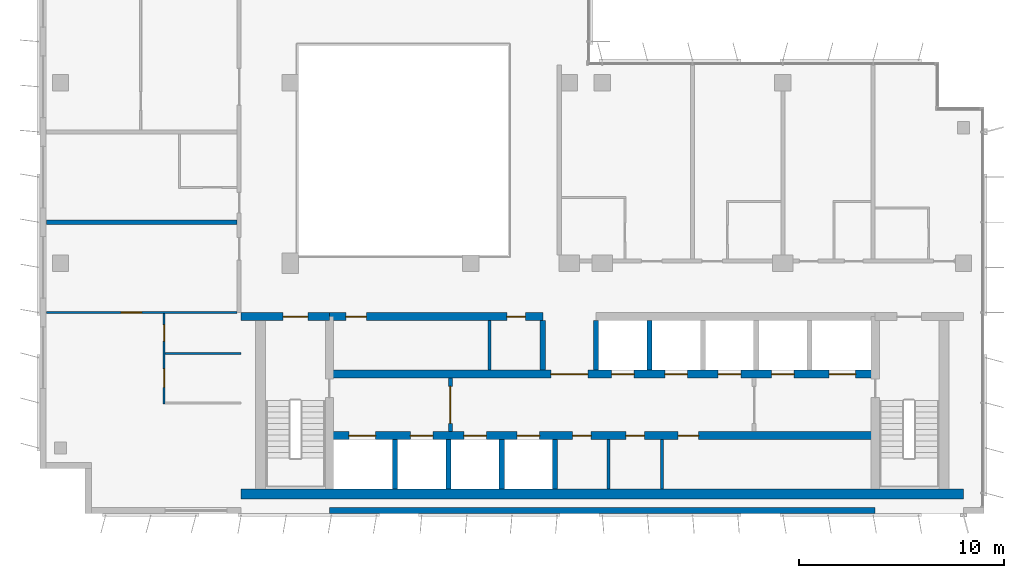
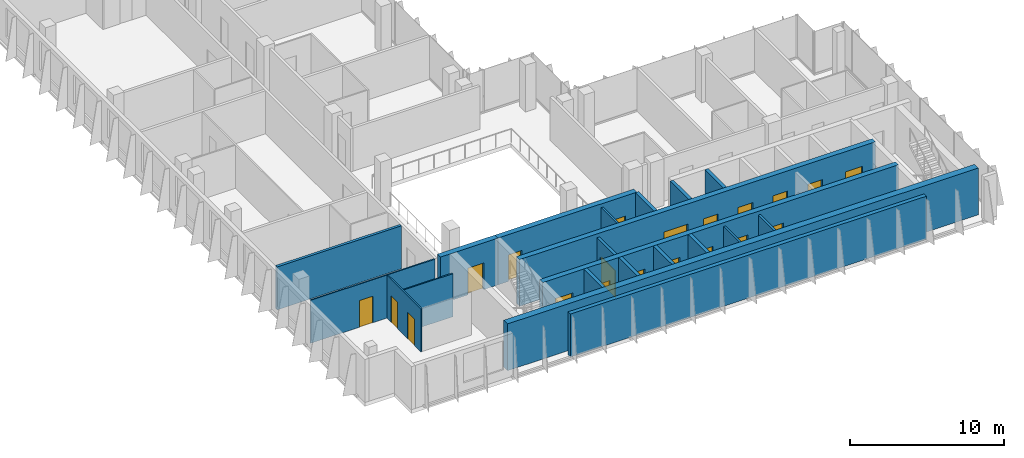
# One storey, part 9 of 15: 21 walls, 20 doors, 20 openings.
"""IFC4 building model written with IfcOpenShell, lengths in metres."""

from ifc_helpers import new_model, si_unit, direction, frame, frame_2d, origin, place, context, subcontext, project, spatial, rectangle, extrude, material, layer, layer_set, type_object, element, fill, save


model = new_model("IFC4")

# Units and contexts
model_context = context("Model", 3, precision=1e-05, world=origin(), true_north=direction((0.0, 1.0)))
body_context = subcontext(model_context, "Body", "Model", "MODEL_VIEW")
ifc_project = project(units=[si_unit("LENGTHUNIT", "METRE"), si_unit("AREAUNIT", "SQUARE_METRE"), si_unit("VOLUMEUNIT", "CUBIC_METRE"), si_unit("PLANEANGLEUNIT", "RADIAN"), si_unit("MASSUNIT", "GRAM", prefix="KILO")], contexts=[model_context])

# Site, building, storey
site_placement = place(None, origin())
site = spatial("IfcSite", under=ifc_project, at=site_placement, CompositionType="ELEMENT")
building_placement = place(site_placement, origin())
building = spatial("IfcBuilding", under=site, at=building_placement, Name="Kemantara Hotel Tower", CompositionType="ELEMENT")
storey_placement = place(building_placement, frame((0.0, 0.0, 275.89990234375)))
storey = spatial("IfcBuildingStorey", under=building, at=storey_placement, Name="L69", CompositionType="ELEMENT", Elevation=275.89990234375)

# Walls
ifc_material_1 = material(Name="Bronze anodised aluminium cladding on insulated steel stud wall", Category="steel")
ifc_layer_1 = layer(ifc_material_1, 0.300048828125)
ifc_layer_set_1 = layer_set([ifc_layer_1], Name="Bronze anodised aluminium cladding on insulated steel stud wall")
wall_type_1 = type_object("IfcWallType", Name="BRONZE METAL-CLAD EXTERNAL WALL 300", PredefinedType="STANDARD", material=ifc_layer_set_1)
wall_1_placement = place(storey_placement, frame((14.10009765625, 0.14990234375, 0.0), z_axis=(0.0, 0.0, 1.0), x_axis=(1.0, 0.0, 0.0)))
element("IfcWall", 1, at=wall_1_placement, inside=storey, type_object=wall_type_1, Name="EXTERNAL WALL L69 T4-R08-2", PredefinedType="STANDARD", context=body_context, shape_type="SweptSolid", body=[
    extrude(rectangle(XDim=26.599853515625, YDim=0.300048828125, at=frame_2d((13.2998046875, 0.0))), origin(), (0.0, 0.0, 1.0), 3.400146484375),
])
ifc_material_2 = material(Name="Concrete fc 50 MPa", Category="concrete")
ifc_layer_2 = layer(ifc_material_2, 0.25)
ifc_layer_set_2 = layer_set([ifc_layer_2], Name="Concrete fc 50 MPa")
wall_type_2 = type_object("IfcWallType", Name="CORE WALL 250 FC50", PredefinedType="SHEAR", material=ifc_layer_set_2)
for number, where, z_axis, x_axis, name in (
    (2, (17.300048828125, 1.199951171875, 0.0), (0.0, 0.0, 1.0), (0.0, 1.0, 0.0), "CORE WALL CW-DS17.3"),
    (3, (19.89990234375, 1.199951171875, 0.0), (0.0, 0.0, 1.0), (0.0, 1.0, 0.0), "CORE WALL CW-DS19.9"),
    (4, (22.5, 1.199951171875, 0.0), (0.0, 0.0, 1.0), (0.0, 1.0, 0.0), "CORE WALL CW-DS22.5"),
    (5, (25.10009765625, 1.199951171875, 0.0), (0.0, 0.0, 1.0), (0.0, 1.0, 0.0), "CORE WALL CW-DS25.1"),
):
    element("IfcWall", number, at=place(storey_placement, frame(where, z_axis=z_axis, x_axis=x_axis)), inside=storey, type_object=wall_type_2, Name=name, PredefinedType="SHEAR", context=body_context, shape_type="SweptSolid", body=[
        extrude(rectangle(XDim=2.400146484375, YDim=0.25, at=frame_2d((1.2001953125, 0.0))), origin(), (0.0, 0.0, 1.0), 3.7001953125),
    ])
for number, where, z_axis, x_axis, name in (
    (6, (24.5, 7.0, 0.0), (0.0, 0.0, 1.0), (0.0, 1.0, 0.0), "CORE WALL CW-DN24.5"),
    (7, (27.10009765625, 7.0, 0.0), (0.0, 0.0, 1.0), (0.0, 1.0, 0.0), "CORE WALL CW-DN27.1"),
    (8, (29.699951171875, 7.0, 0.0), (0.0, 0.0, 1.0), (0.0, 1.0, 0.0), "CORE WALL CW-DN29.7"),
):
    element("IfcWall", number, at=place(storey_placement, frame(where, z_axis=z_axis, x_axis=x_axis)), inside=storey, type_object=wall_type_2, Name=name, PredefinedType="SHEAR", context=body_context, shape_type="SweptSolid", body=[
        extrude(rectangle(XDim=2.39990234375, YDim=0.25, at=frame_2d((1.199951171875, 0.0))), origin(), (0.0, 0.0, 1.0), 3.7001953125),
    ])

# Wall, opening, door
ifc_layer_3 = layer(ifc_material_2, 0.39990234375)
ifc_layer_set_3 = layer_set([ifc_layer_3], Name="Concrete fc 50 MPa")
wall_type_3 = type_object("IfcWallType", Name="CORE WALL 400 FC50", PredefinedType="SHEAR", material=ifc_layer_set_3)
wall_2_placement = place(storey_placement, frame((9.800048828125, 9.60009765625, 0.0), z_axis=(0.0, 0.0, 1.0), x_axis=(1.0, 0.0, 0.0)))
wall_2 = element("IfcWall", 9, at=wall_2_placement, inside=storey, type_object=wall_type_3, Name="CORE WALL CW-N1", PredefinedType="SHEAR", context=body_context, shape_type="SweptSolid", body=[
    extrude(rectangle(XDim=4.300048828125, YDim=0.39990234375, at=frame_2d((2.14990234375, 0.0))), origin(), (0.0, 0.0, 1.0), 3.7001953125),
])
opening_1_placement = place(wall_2_placement, frame((2.050048828125, 0.0, 0.0)))
opening_1 = element("IfcOpeningElement", 10, at=opening_1_placement, cuts=wall_2, Name="Opening C40-ST1-C", PredefinedType="OPENING", context=body_context, shape_type="SweptSolid", body=[
    extrude(rectangle(XDim=1.199951171875, YDim=2.10009765625, at=frame_2d((0.60009765625, 1.050048828125))), frame((0.0, 0.2099609375, 0.0), z_axis=(0.0, -1.0, 0.0), x_axis=(1.0, 0.0, 0.0)), (0.0, 0.0, 1.0), 0.419921875),
])
ifc_material_3 = material(Name="Steel fire door", Category="steel")
door_type_1 = type_object("IfcDoorType", Name="Fire door FD90 1200 x 2100", OperationType="NOTDEFINED", PredefinedType="DOOR", material=ifc_material_3)
door_1_placement = place(opening_1_placement, frame((1.199951171875, 0.0, 0.0), z_axis=(0.0, 0.0, 1.0), x_axis=(-1.0, 0.0, 0.0)))
door_1 = element("IfcDoor", 11, at=door_1_placement, inside=storey, type_object=door_type_1, Name="Stair ST1 door to corridor", OperationType="SINGLE_SWING_LEFT", OverallHeight=2.10009765625, OverallWidth=1.199951171875, PredefinedType="DOOR", context=body_context, shape_type="SweptSolid", body=[
    extrude(rectangle(XDim=1.199951171875, YDim=2.10009765625, at=frame_2d((0.60009765625, 1.050048828125))), frame((0.0, 0.02490234375, 0.0), z_axis=(0.0, -1.0, 0.0), x_axis=(1.0, 0.0, 0.0)), (0.0, 0.0, 1.0), 0.050048828125),
])
fill(opening_1, door_1)

# Wall, openings, doors
wall_3_placement = place(storey_placement, frame((14.10009765625, 9.60009765625, 0.0), z_axis=(0.0, 0.0, 1.0), x_axis=(1.0, 0.0, 0.0)))
wall_3 = element("IfcWall", 12, at=wall_3_placement, inside=storey, type_object=wall_type_3, Name="CORE WALL CW-NN1", PredefinedType="SHEAR", context=body_context, shape_type="SweptSolid", body=[
    extrude(rectangle(XDim=10.39990234375, YDim=0.39990234375, at=frame_2d((5.199951171875, 0.0))), origin(), (0.0, 0.0, 1.0), 3.7001953125),
])
opening_2_placement = place(wall_3_placement, frame((0.800048828125, 0.0, 0.0)))
opening_2 = element("IfcOpeningElement", 13, at=opening_2_placement, cuts=wall_3, Name="Opening C40-R-NW1", PredefinedType="OPENING", context=body_context, shape_type="SweptSolid", body=[
    extrude(rectangle(XDim=1.0, YDim=2.10009765625, at=frame_2d((0.5, 1.050048828125))), frame((0.0, 0.2099609375, 0.0), z_axis=(0.0, -1.0, 0.0), x_axis=(1.0, 0.0, 0.0)), (0.0, 0.0, 1.0), 0.419921875),
])
opening_3_placement = place(wall_3_placement, frame((8.64990234375, 0.0, 0.0)))
opening_3 = element("IfcOpeningElement", 14, at=opening_3_placement, cuts=wall_3, Name="Opening C40-R-NW2", PredefinedType="OPENING", context=body_context, shape_type="SweptSolid", body=[
    extrude(rectangle(XDim=0.89990234375, YDim=2.10009765625, at=frame_2d((0.449951171875, 1.050048828125))), frame((0.0, 0.2099609375, 0.0), z_axis=(0.0, -1.0, 0.0), x_axis=(1.0, 0.0, 0.0)), (0.0, 0.0, 1.0), 0.419921875),
])
door_type_2 = type_object("IfcDoorType", Name="Fire door FD30S 1000 x 2100", OperationType="NOTDEFINED", PredefinedType="DOOR", material=ifc_material_3)
door_2_placement = place(opening_2_placement, frame((1.0, 0.0, 0.0), z_axis=(0.0, 0.0, 1.0), x_axis=(-1.0, 0.0, 0.0)))
door_2 = element("IfcDoor", 15, at=door_2_placement, inside=storey, type_object=door_type_2, Name="Linen Store door", OperationType="SINGLE_SWING_RIGHT", OverallHeight=2.10009765625, OverallWidth=1.0, PredefinedType="DOOR", context=body_context, shape_type="SweptSolid", body=[
    extrude(rectangle(XDim=1.0, YDim=2.10009765625, at=frame_2d((0.5, 1.050048828125))), frame((0.0, 0.02490234375, 0.0), z_axis=(0.0, -1.0, 0.0), x_axis=(1.0, 0.0, 0.0)), (0.0, 0.0, 1.0), 0.050048828125),
])
fill(opening_2, door_2)
door_type_3 = type_object("IfcDoorType", Name="Fire door FD60 900 x 2100", OperationType="NOTDEFINED", PredefinedType="DOOR", material=ifc_material_3)
door_3_placement = place(opening_3_placement, frame((0.89990234375, 0.0, 0.0), z_axis=(0.0, 0.0, 1.0), x_axis=(-1.0, 0.0, 0.0)))
door_3 = element("IfcDoor", 16, at=door_3_placement, inside=storey, type_object=door_type_3, Name="It Equipment Room door", OperationType="SINGLE_SWING_LEFT", OverallHeight=2.10009765625, OverallWidth=0.89990234375, PredefinedType="DOOR", context=body_context, shape_type="SweptSolid", body=[
    extrude(rectangle(XDim=0.89990234375, YDim=2.10009765625, at=frame_2d((0.449951171875, 1.050048828125))), frame((0.0, 0.02490234375, 0.0), z_axis=(0.0, -1.0, 0.0), x_axis=(1.0, 0.0, 0.0)), (0.0, 0.0, 1.0), 0.050048828125),
])
fill(opening_3, door_3)

wall_4_placement = place(storey_placement, frame((14.10009765625, 3.800048828125, 0.0), z_axis=(0.0, 0.0, 1.0), x_axis=(1.0, 0.0, 0.0)))
wall_4 = element("IfcWall", 17, at=wall_4_placement, inside=storey, type_object=wall_type_3, Name="CORE WALL CW-L1", PredefinedType="SHEAR", context=body_context, shape_type="SweptSolid", body=[
    extrude(rectangle(XDim=26.599853515625, YDim=0.39990234375, at=frame_2d((13.2998046875, 0.0))), origin(), (0.0, 0.0, 1.0), 3.7001953125),
])
opening_4_placement = place(wall_4_placement, frame((0.949951171875, 0.0, 0.0)))
opening_4 = element("IfcOpeningElement", 18, at=opening_4_placement, cuts=wall_4, Name="Opening C40-LD-FF1", PredefinedType="OPENING", context=body_context, shape_type="SweptSolid", body=[
    extrude(rectangle(XDim=1.300048828125, YDim=2.10009765625, at=frame_2d((0.64990234375, 1.050048828125))), frame((0.0, 0.2099609375, 0.0), z_axis=(0.0, -1.0, 0.0), x_axis=(1.0, 0.0, 0.0)), (0.0, 0.0, 1.0), 0.419921875),
])
opening_5_placement = place(wall_4_placement, frame((3.949951171875, 0.0, 0.0)))
opening_5 = element("IfcOpeningElement", 19, at=opening_5_placement, cuts=wall_4, Name="Opening C40-LD-SV1", PredefinedType="OPENING", context=body_context, shape_type="SweptSolid", body=[
    extrude(rectangle(XDim=1.10009765625, YDim=2.10009765625, at=frame_2d((0.550048828125, 1.050048828125))), frame((0.0, 0.2099609375, 0.0), z_axis=(0.0, -1.0, 0.0), x_axis=(1.0, 0.0, 0.0)), (0.0, 0.0, 1.0), 0.419921875),
])
opening_6_placement = place(wall_4_placement, frame((6.550048828125, 0.0, 0.0)))
opening_6 = element("IfcOpeningElement", 20, at=opening_6_placement, cuts=wall_4, Name="Opening C40-LD-SV2", PredefinedType="OPENING", context=body_context, shape_type="SweptSolid", body=[
    extrude(rectangle(XDim=1.10009765625, YDim=2.10009765625, at=frame_2d((0.550048828125, 1.050048828125))), frame((0.0, 0.2099609375, 0.0), z_axis=(0.0, -1.0, 0.0), x_axis=(1.0, 0.0, 0.0)), (0.0, 0.0, 1.0), 0.419921875),
])
opening_7_placement = place(wall_4_placement, frame((9.14990234375, 0.0, 0.0)))
opening_7 = element("IfcOpeningElement", 21, at=opening_7_placement, cuts=wall_4, Name="Opening C40-LD-SV3", PredefinedType="OPENING", context=body_context, shape_type="SweptSolid", body=[
    extrude(rectangle(XDim=1.10009765625, YDim=2.10009765625, at=frame_2d((0.550048828125, 1.050048828125))), frame((0.0, 0.2099609375, 0.0), z_axis=(0.0, -1.0, 0.0), x_axis=(1.0, 0.0, 0.0)), (0.0, 0.0, 1.0), 0.419921875),
])
opening_8_placement = place(wall_4_placement, frame((11.85009765625, 0.0, 0.0)))
opening_8 = element("IfcOpeningElement", 22, at=opening_8_placement, cuts=wall_4, Name="Opening C40-R-SM1", PredefinedType="OPENING", context=body_context, shape_type="SweptSolid", body=[
    extrude(rectangle(XDim=0.89990234375, YDim=2.10009765625, at=frame_2d((0.449951171875, 1.050048828125))), frame((0.0, 0.2099609375, 0.0), z_axis=(0.0, -1.0, 0.0), x_axis=(1.0, 0.0, 0.0)), (0.0, 0.0, 1.0), 0.419921875),
])
opening_9_placement = place(wall_4_placement, frame((14.449951171875, 0.0, 0.0)))
opening_9 = element("IfcOpeningElement", 23, at=opening_9_placement, cuts=wall_4, Name="Opening C40-R-SM2", PredefinedType="OPENING", context=body_context, shape_type="SweptSolid", body=[
    extrude(rectangle(XDim=0.89990234375, YDim=2.10009765625, at=frame_2d((0.449951171875, 1.050048828125))), frame((0.0, 0.2099609375, 0.0), z_axis=(0.0, -1.0, 0.0), x_axis=(1.0, 0.0, 0.0)), (0.0, 0.0, 1.0), 0.419921875),
])
opening_10_placement = place(wall_4_placement, frame((17.0, 0.0, 0.0)))
opening_10 = element("IfcOpeningElement", 24, at=opening_10_placement, cuts=wall_4, Name="Opening C40-R-SM3", PredefinedType="OPENING", context=body_context, shape_type="SweptSolid", body=[
    extrude(rectangle(XDim=1.0, YDim=2.10009765625, at=frame_2d((0.5, 1.050048828125))), frame((0.0, 0.2099609375, 0.0), z_axis=(0.0, -1.0, 0.0), x_axis=(1.0, 0.0, 0.0)), (0.0, 0.0, 1.0), 0.419921875),
])
door_4_placement = place(opening_10_placement, frame((1.0, 0.0, 0.0), z_axis=(0.0, 0.0, 1.0), x_axis=(-1.0, 0.0, 0.0)))
door_4 = element("IfcDoor", 25, at=door_4_placement, inside=storey, type_object=door_type_2, Name="Guest Pantry door", OperationType="SINGLE_SWING_LEFT", OverallHeight=2.10009765625, OverallWidth=1.0, PredefinedType="DOOR", context=body_context, shape_type="SweptSolid", body=[
    extrude(rectangle(XDim=1.0, YDim=2.10009765625, at=frame_2d((0.5, 1.050048828125))), frame((0.0, 0.02490234375, 0.0), z_axis=(0.0, -1.0, 0.0), x_axis=(1.0, 0.0, 0.0)), (0.0, 0.0, 1.0), 0.050048828125),
])
fill(opening_10, door_4)
door_type_4 = type_object("IfcDoorType", Name="Fire door FD30S 900 x 2100", OperationType="NOTDEFINED", PredefinedType="DOOR", material=ifc_material_3)
door_5_placement = place(opening_9_placement, frame((0.89990234375, 0.0, 0.0), z_axis=(0.0, 0.0, 1.0), x_axis=(-1.0, 0.0, 0.0)))
door_5 = element("IfcDoor", 26, at=door_5_placement, inside=storey, type_object=door_type_4, Name="Staff Wc door", OperationType="SINGLE_SWING_LEFT", OverallHeight=2.10009765625, OverallWidth=0.89990234375, PredefinedType="DOOR", context=body_context, shape_type="SweptSolid", body=[
    extrude(rectangle(XDim=0.89990234375, YDim=2.10009765625, at=frame_2d((0.449951171875, 1.050048828125))), frame((0.0, 0.02490234375, 0.0), z_axis=(0.0, -1.0, 0.0), x_axis=(1.0, 0.0, 0.0)), (0.0, 0.0, 1.0), 0.050048828125),
])
fill(opening_9, door_5)
door_6_placement = place(opening_8_placement, frame((0.89990234375, 0.0, 0.0), z_axis=(0.0, 0.0, 1.0), x_axis=(-1.0, 0.0, 0.0)))
door_6 = element("IfcDoor", 27, at=door_6_placement, inside=storey, type_object=door_type_3, Name="Electrical Riser Room door", OperationType="SINGLE_SWING_RIGHT", OverallHeight=2.10009765625, OverallWidth=0.89990234375, PredefinedType="DOOR", context=body_context, shape_type="SweptSolid", body=[
    extrude(rectangle(XDim=0.89990234375, YDim=2.10009765625, at=frame_2d((0.449951171875, 1.050048828125))), frame((0.0, 0.02490234375, 0.0), z_axis=(0.0, -1.0, 0.0), x_axis=(1.0, 0.0, 0.0)), (0.0, 0.0, 1.0), 0.050048828125),
])
fill(opening_8, door_6)
ifc_material_4 = material(Name="Stainless steel lift door", Category="steel")
door_type_5 = type_object("IfcDoorType", Name="Lift landing door 1100 x 2100 FD60", OperationType="DOUBLE_DOOR_SLIDING", PredefinedType="DOOR", material=ifc_material_4)
door_7_placement = place(opening_5_placement, origin())
door_7 = element("IfcDoor", 28, at=door_7_placement, inside=storey, type_object=door_type_5, Name="Lift SV1 landing door", OperationType="DOUBLE_DOOR_SLIDING", OverallHeight=2.10009765625, OverallWidth=1.10009765625, PredefinedType="DOOR", context=body_context, shape_type="SweptSolid", body=[
    extrude(rectangle(XDim=1.10009765625, YDim=2.10009765625, at=frame_2d((0.550048828125, 1.050048828125))), frame((0.0, 0.02490234375, 0.0), z_axis=(0.0, -1.0, 0.0), x_axis=(1.0, 0.0, 0.0)), (0.0, 0.0, 1.0), 0.050048828125),
])
fill(opening_5, door_7)
door_8_placement = place(opening_6_placement, origin())
door_8 = element("IfcDoor", 29, at=door_8_placement, inside=storey, type_object=door_type_5, Name="Lift SV2 landing door", OperationType="DOUBLE_DOOR_SLIDING", OverallHeight=2.10009765625, OverallWidth=1.10009765625, PredefinedType="DOOR", context=body_context, shape_type="SweptSolid", body=[
    extrude(rectangle(XDim=1.10009765625, YDim=2.10009765625, at=frame_2d((0.550048828125, 1.050048828125))), frame((0.0, 0.02490234375, 0.0), z_axis=(0.0, -1.0, 0.0), x_axis=(1.0, 0.0, 0.0)), (0.0, 0.0, 1.0), 0.050048828125),
])
fill(opening_6, door_8)
door_9_placement = place(opening_7_placement, origin())
door_9 = element("IfcDoor", 30, at=door_9_placement, inside=storey, type_object=door_type_5, Name="Lift SV3 landing door", OperationType="DOUBLE_DOOR_SLIDING", OverallHeight=2.10009765625, OverallWidth=1.10009765625, PredefinedType="DOOR", context=body_context, shape_type="SweptSolid", body=[
    extrude(rectangle(XDim=1.10009765625, YDim=2.10009765625, at=frame_2d((0.550048828125, 1.050048828125))), frame((0.0, 0.02490234375, 0.0), z_axis=(0.0, -1.0, 0.0), x_axis=(1.0, 0.0, 0.0)), (0.0, 0.0, 1.0), 0.050048828125),
])
fill(opening_7, door_9)
door_type_6 = type_object("IfcDoorType", Name="Lift landing door 1300 x 2100 FD90", OperationType="DOUBLE_DOOR_SLIDING", PredefinedType="DOOR", material=ifc_material_4)
door_10_placement = place(opening_4_placement, origin())
door_10 = element("IfcDoor", 31, at=door_10_placement, inside=storey, type_object=door_type_6, Name="Lift FF1 landing door", OperationType="DOUBLE_DOOR_SLIDING", OverallHeight=2.10009765625, OverallWidth=1.300048828125, PredefinedType="DOOR", context=body_context, shape_type="SweptSolid", body=[
    extrude(rectangle(XDim=1.300048828125, YDim=2.10009765625, at=frame_2d((0.64990234375, 1.050048828125))), frame((0.0, 0.02490234375, 0.0), z_axis=(0.0, -1.0, 0.0), x_axis=(1.0, 0.0, 0.0)), (0.0, 0.0, 1.0), 0.050048828125),
])
fill(opening_4, door_10)

wall_5_placement = place(storey_placement, frame((14.10009765625, 6.800048828125, 0.0), z_axis=(0.0, 0.0, 1.0), x_axis=(1.0, 0.0, 0.0)))
wall_5 = element("IfcWall", 32, at=wall_5_placement, inside=storey, type_object=wall_type_3, Name="CORE WALL CW-L2", PredefinedType="SHEAR", context=body_context, shape_type="SweptSolid", body=[
    extrude(rectangle(XDim=26.599853515625, YDim=0.39990234375, at=frame_2d((13.2998046875, 0.0))), origin(), (0.0, 0.0, 1.0), 3.7001953125),
])
opening_11_placement = place(wall_5_placement, frame((10.800048828125, 0.0, 0.0)))
opening_11 = element("IfcOpeningElement", 33, at=opening_11_placement, cuts=wall_5, Name="Opening C40-VL", PredefinedType="OPENING", context=body_context, shape_type="SweptSolid", body=[
    extrude(rectangle(XDim=1.800048828125, YDim=2.10009765625, at=frame_2d((0.89990234375, 1.050048828125))), frame((0.0, 0.2099609375, 0.0), z_axis=(0.0, -1.0, 0.0), x_axis=(1.0, 0.0, 0.0)), (0.0, 0.0, 1.0), 0.419921875),
])
opening_12_placement = place(wall_5_placement, frame((13.75, 0.0, 0.0)))
opening_12 = element("IfcOpeningElement", 34, at=opening_12_placement, cuts=wall_5, Name="Opening C40-LD-HR1", PredefinedType="OPENING", context=body_context, shape_type="SweptSolid", body=[
    extrude(rectangle(XDim=1.10009765625, YDim=2.10009765625, at=frame_2d((0.550048828125, 1.050048828125))), frame((0.0, 0.2099609375, 0.0), z_axis=(0.0, -1.0, 0.0), x_axis=(1.0, 0.0, 0.0)), (0.0, 0.0, 1.0), 0.419921875),
])
opening_13_placement = place(wall_5_placement, frame((16.35009765625, 0.0, 0.0)))
opening_13 = element("IfcOpeningElement", 35, at=opening_13_placement, cuts=wall_5, Name="Opening C40-LD-HR2", PredefinedType="OPENING", context=body_context, shape_type="SweptSolid", body=[
    extrude(rectangle(XDim=1.10009765625, YDim=2.10009765625, at=frame_2d((0.550048828125, 1.050048828125))), frame((0.0, 0.2099609375, 0.0), z_axis=(0.0, -1.0, 0.0), x_axis=(1.0, 0.0, 0.0)), (0.0, 0.0, 1.0), 0.419921875),
])
opening_14_placement = place(wall_5_placement, frame((18.949951171875, 0.0, 0.0)))
opening_14 = element("IfcOpeningElement", 36, at=opening_14_placement, cuts=wall_5, Name="Opening C40-LD-HR3", PredefinedType="OPENING", context=body_context, shape_type="SweptSolid", body=[
    extrude(rectangle(XDim=1.10009765625, YDim=2.10009765625, at=frame_2d((0.550048828125, 1.050048828125))), frame((0.0, 0.2099609375, 0.0), z_axis=(0.0, -1.0, 0.0), x_axis=(1.0, 0.0, 0.0)), (0.0, 0.0, 1.0), 0.419921875),
])
opening_15_placement = place(wall_5_placement, frame((21.550048828125, 0.0, 0.0)))
opening_15 = element("IfcOpeningElement", 37, at=opening_15_placement, cuts=wall_5, Name="Opening C40-LD-HR4", PredefinedType="OPENING", context=body_context, shape_type="SweptSolid", body=[
    extrude(rectangle(XDim=1.10009765625, YDim=2.10009765625, at=frame_2d((0.550048828125, 1.050048828125))), frame((0.0, 0.2099609375, 0.0), z_axis=(0.0, -1.0, 0.0), x_axis=(1.0, 0.0, 0.0)), (0.0, 0.0, 1.0), 0.419921875),
])
opening_16_placement = place(wall_5_placement, frame((24.35009765625, 0.0, 0.0)))
opening_16 = element("IfcOpeningElement", 38, at=opening_16_placement, cuts=wall_5, Name="Opening C40-LD-FF2", PredefinedType="OPENING", context=body_context, shape_type="SweptSolid", body=[
    extrude(rectangle(XDim=1.300048828125, YDim=2.10009765625, at=frame_2d((0.64990234375, 1.050048828125))), frame((0.0, 0.2099609375, 0.0), z_axis=(0.0, -1.0, 0.0), x_axis=(1.0, 0.0, 0.0)), (0.0, 0.0, 1.0), 0.419921875),
])
door_type_7 = type_object("IfcDoorType", Name="Fire door pair FD60 1800 x 2100", OperationType="DOUBLE_DOOR_SINGLE_SWING", PredefinedType="DOOR", material=ifc_material_3)
door_11_placement = place(opening_11_placement, frame((1.800048828125, 0.0, 0.0), z_axis=(0.0, 0.0, 1.0), x_axis=(-1.0, 0.0, 0.0)))
door_11 = element("IfcDoor", 39, at=door_11_placement, inside=storey, type_object=door_type_7, Name="Lift lobby entry door", OperationType="DOUBLE_DOOR_SINGLE_SWING", OverallHeight=2.10009765625, OverallWidth=1.800048828125, PredefinedType="DOOR", context=body_context, shape_type="SweptSolid", body=[
    extrude(rectangle(XDim=1.800048828125, YDim=2.10009765625, at=frame_2d((0.89990234375, 1.050048828125))), frame((0.0, 0.02490234375, 0.0), z_axis=(0.0, -1.0, 0.0), x_axis=(1.0, 0.0, 0.0)), (0.0, 0.0, 1.0), 0.050048828125),
])
fill(opening_11, door_11)
door_12_placement = place(opening_12_placement, origin())
door_12 = element("IfcDoor", 40, at=door_12_placement, inside=storey, type_object=door_type_5, Name="Lift HR1 landing door", OperationType="DOUBLE_DOOR_SLIDING", OverallHeight=2.10009765625, OverallWidth=1.10009765625, PredefinedType="DOOR", context=body_context, shape_type="SweptSolid", body=[
    extrude(rectangle(XDim=1.10009765625, YDim=2.10009765625, at=frame_2d((0.550048828125, 1.050048828125))), frame((0.0, 0.02490234375, 0.0), z_axis=(0.0, -1.0, 0.0), x_axis=(1.0, 0.0, 0.0)), (0.0, 0.0, 1.0), 0.050048828125),
])
fill(opening_12, door_12)
door_13_placement = place(opening_13_placement, origin())
door_13 = element("IfcDoor", 41, at=door_13_placement, inside=storey, type_object=door_type_5, Name="Lift HR2 landing door", OperationType="DOUBLE_DOOR_SLIDING", OverallHeight=2.10009765625, OverallWidth=1.10009765625, PredefinedType="DOOR", context=body_context, shape_type="SweptSolid", body=[
    extrude(rectangle(XDim=1.10009765625, YDim=2.10009765625, at=frame_2d((0.550048828125, 1.050048828125))), frame((0.0, 0.02490234375, 0.0), z_axis=(0.0, -1.0, 0.0), x_axis=(1.0, 0.0, 0.0)), (0.0, 0.0, 1.0), 0.050048828125),
])
fill(opening_13, door_13)
door_14_placement = place(opening_14_placement, origin())
door_14 = element("IfcDoor", 42, at=door_14_placement, inside=storey, type_object=door_type_5, Name="Lift HR3 landing door", OperationType="DOUBLE_DOOR_SLIDING", OverallHeight=2.10009765625, OverallWidth=1.10009765625, PredefinedType="DOOR", context=body_context, shape_type="SweptSolid", body=[
    extrude(rectangle(XDim=1.10009765625, YDim=2.10009765625, at=frame_2d((0.550048828125, 1.050048828125))), frame((0.0, 0.02490234375, 0.0), z_axis=(0.0, -1.0, 0.0), x_axis=(1.0, 0.0, 0.0)), (0.0, 0.0, 1.0), 0.050048828125),
])
fill(opening_14, door_14)
door_15_placement = place(opening_15_placement, origin())
door_15 = element("IfcDoor", 43, at=door_15_placement, inside=storey, type_object=door_type_5, Name="Lift HR4 landing door", OperationType="DOUBLE_DOOR_SLIDING", OverallHeight=2.10009765625, OverallWidth=1.10009765625, PredefinedType="DOOR", context=body_context, shape_type="SweptSolid", body=[
    extrude(rectangle(XDim=1.10009765625, YDim=2.10009765625, at=frame_2d((0.550048828125, 1.050048828125))), frame((0.0, 0.02490234375, 0.0), z_axis=(0.0, -1.0, 0.0), x_axis=(1.0, 0.0, 0.0)), (0.0, 0.0, 1.0), 0.050048828125),
])
fill(opening_15, door_15)
door_16_placement = place(opening_16_placement, origin())
door_16 = element("IfcDoor", 44, at=door_16_placement, inside=storey, type_object=door_type_6, Name="Lift FF2 landing door", OperationType="DOUBLE_DOOR_SLIDING", OverallHeight=2.10009765625, OverallWidth=1.300048828125, PredefinedType="DOOR", context=body_context, shape_type="SweptSolid", body=[
    extrude(rectangle(XDim=1.300048828125, YDim=2.10009765625, at=frame_2d((0.64990234375, 1.050048828125))), frame((0.0, 0.02490234375, 0.0), z_axis=(0.0, -1.0, 0.0), x_axis=(1.0, 0.0, 0.0)), (0.0, 0.0, 1.0), 0.050048828125),
])
fill(opening_16, door_16)

# Walls
ifc_layer_4 = layer(ifc_material_2, 0.5)
ifc_layer_set_4 = layer_set([ifc_layer_4], Name="Concrete fc 50 MPa")
wall_type_4 = type_object("IfcWallType", Name="CORE WALL 500 FC50", PredefinedType="SHEAR", material=ifc_layer_set_4)
wall_6_placement = place(storey_placement, frame((9.800048828125, 0.949951171875, 0.0), z_axis=(0.0, 0.0, 1.0), x_axis=(1.0, 0.0, 0.0)))
element("IfcWall", 45, at=wall_6_placement, inside=storey, type_object=wall_type_4, Name="CORE WALL CW-S", PredefinedType="SHEAR", context=body_context, shape_type="SweptSolid", body=[
    extrude(rectangle(XDim=35.199951171875, YDim=0.5, at=frame_2d((17.60009765625, 0.0))), origin(), (0.0, 0.0, 1.0), 3.7001953125),
])
ifc_material_5 = material(Name="Gypsum board partition, steel studs and mineral wool, 200 mm", Category="steel")
ifc_layer_5 = layer(ifc_material_5, 0.199951171875)
ifc_layer_set_5 = layer_set([ifc_layer_5], Name="Gypsum board partition, steel studs and mineral wool, 200 mm")
wall_type_5 = type_object("IfcWallType", Name="GUEST ROOM PARTY WALL 200", PredefinedType="PARTITIONING", material=ifc_layer_set_5)
wall_7_placement = place(storey_placement, frame((0.31005859375, 14.199951171875, 0.0), z_axis=(0.0, 0.0, 1.0), x_axis=(1.0, 0.0, 0.0)))
element("IfcWall", 46, at=wall_7_placement, inside=storey, type_object=wall_type_5, Name="GUEST ROOM PARTY WALL 200 010", PredefinedType="PARTITIONING", context=body_context, shape_type="SweptSolid", body=[
    extrude(rectangle(XDim=9.2900390625, YDim=0.199951171875, at=frame_2d((4.64501953125, 0.0))), origin(), (0.0, 0.0, 1.0), 3.400146484375),
])
ifc_material_6 = material(Name="Gypsum board partition")
ifc_layer_6 = layer(ifc_material_6, 0.14990234375)
ifc_layer_set_6 = layer_set([ifc_layer_6], Name="Gypsum board partition")
wall_type_6 = type_object("IfcWallType", Name="Gypsum board partition 150 mm", PredefinedType="PARTITIONING", material=ifc_layer_set_6)
wall_8_placement = place(storey_placement, frame((21.89990234375, 7.0, 0.0), z_axis=(0.0, 0.0, 1.0), x_axis=(0.0, 1.0, 0.0)))
element("IfcWall", 47, at=wall_8_placement, inside=storey, type_object=wall_type_6, Name="Core room partition", PredefinedType="PARTITIONING", context=body_context, shape_type="SweptSolid", body=[
    extrude(rectangle(XDim=2.39990234375, YDim=0.14990234375, at=frame_2d((1.199951171875, 0.0))), origin(), (0.0, 0.0, 1.0), 3.400146484375),
])
for number, where, z_axis, x_axis, name in (
    (48, (27.699951171875, 1.199951171875, 0.0), (0.0, 0.0, 1.0), (0.0, 1.0, 0.0), "Core room partition"),
    (49, (30.300048828125, 1.199951171875, 0.0), (0.0, 0.0, 1.0), (0.0, 1.0, 0.0), "Core room partition"),
):
    element("IfcWall", number, at=place(storey_placement, frame(where, z_axis=z_axis, x_axis=x_axis)), inside=storey, type_object=wall_type_6, Name=name, PredefinedType="PARTITIONING", context=body_context, shape_type="SweptSolid", body=[
        extrude(rectangle(XDim=2.400146484375, YDim=0.14990234375, at=frame_2d((1.2001953125, 0.0))), origin(), (0.0, 0.0, 1.0), 3.400146484375),
    ])

# Wall, opening, door
ifc_material_7 = material(Name="Gypsum board shaft wall")
ifc_layer_7 = layer(ifc_material_7, 0.199951171875)
ifc_layer_set_7 = layer_set([ifc_layer_7], Name="Gypsum board shaft wall")
wall_type_7 = type_object("IfcWallType", Name="Gypsum board shaft wall 200 mm", PredefinedType="PARTITIONING", material=ifc_layer_set_7)
wall_9_placement = place(storey_placement, frame((20.0, 4.0, 0.0), z_axis=(0.0, 0.0, 1.0), x_axis=(0.0, 1.0, 0.0)))
wall_9 = element("IfcWall", 50, at=wall_9_placement, inside=storey, type_object=wall_type_7, Name="Firefighting lobby partition west", PredefinedType="PARTITIONING", context=body_context, shape_type="SweptSolid", body=[
    extrude(rectangle(XDim=2.60009765625, YDim=0.199951171875, at=frame_2d((1.300048828125, 0.0))), origin(), (0.0, 0.0, 1.0), 3.400146484375),
])
opening_17_placement = place(wall_9_placement, frame((0.39990234375, 0.0, 0.0)))
opening_17 = element("IfcOpeningElement", 51, at=opening_17_placement, cuts=wall_9, Name="Opening C40-FFW", PredefinedType="OPENING", context=body_context, shape_type="SweptSolid", body=[
    extrude(rectangle(XDim=1.800048828125, YDim=2.10009765625, at=frame_2d((0.89990234375, 1.050048828125))), frame((0.0, 0.10986328125, 0.0), z_axis=(0.0, -1.0, 0.0), x_axis=(1.0, 0.0, 0.0)), (0.0, 0.0, 1.0), 0.219970703125),
])
door_17_placement = place(opening_17_placement, origin())
door_17 = element("IfcDoor", 52, at=door_17_placement, inside=storey, type_object=door_type_7, Name="Firefighting lobby door west", OperationType="DOUBLE_DOOR_SINGLE_SWING", OverallHeight=2.10009765625, OverallWidth=1.800048828125, PredefinedType="DOOR", context=body_context, shape_type="SweptSolid", body=[
    extrude(rectangle(XDim=1.800048828125, YDim=2.10009765625, at=frame_2d((0.89990234375, 1.050048828125))), frame((0.0, 0.02490234375, 0.0), z_axis=(0.0, -1.0, 0.0), x_axis=(1.0, 0.0, 0.0)), (0.0, 0.0, 1.0), 0.050048828125),
])
fill(opening_17, door_17)

# Wall, openings, doors
ifc_material_8 = material(Name="Gypsum board partition on steel studs, 100 mm", Category="steel")
ifc_layer_8 = layer(ifc_material_8, 0.10009765625)
ifc_layer_set_8 = layer_set([ifc_layer_8], Name="Gypsum board partition on steel studs, 100 mm")
wall_type_8 = type_object("IfcWallType", Name="ROOM PARTITION 100", PredefinedType="PARTITIONING", material=ifc_layer_set_8)
wall_10_placement = place(storey_placement, frame((6.050048828125, 9.75, 0.0), z_axis=(0.0, 0.0, 1.0), x_axis=(0.0, -1.0, 0.0)))
wall_10 = element("IfcWall", 53, at=wall_10_placement, inside=storey, type_object=wall_type_8, Name="ROOM PARTITION 100 033", PredefinedType="PARTITIONING", context=body_context, shape_type="SweptSolid", body=[
    extrude(rectangle(XDim=4.39990234375, YDim=0.10009765625, at=frame_2d((2.199951171875, 0.0))), origin(), (0.0, 0.0, 1.0), 3.400146484375),
])
opening_18_placement = place(wall_10_placement, frame((2.699951171875, 0.0, 0.0)))
opening_18 = element("IfcOpeningElement", 54, at=opening_18_placement, cuts=wall_10, Name="Opening F34-011", PredefinedType="OPENING", context=body_context, shape_type="SweptSolid", body=[
    extrude(rectangle(XDim=0.89990234375, YDim=2.10009765625, at=frame_2d((0.449951171875, 1.050048828125))), frame((0.0, 0.06005859375, 0.0), z_axis=(0.0, -1.0, 0.0), x_axis=(1.0, 0.0, 0.0)), (0.0, 0.0, 1.0), 0.1201171875),
])
opening_19_placement = place(wall_10_placement, frame((0.550048828125, 0.0, 0.0)))
opening_19 = element("IfcOpeningElement", 55, at=opening_19_placement, cuts=wall_10, Name="Opening F34-012", PredefinedType="OPENING", context=body_context, shape_type="SweptSolid", body=[
    extrude(rectangle(XDim=0.800048828125, YDim=2.10009765625, at=frame_2d((0.39990234375, 1.050048828125))), frame((0.0, 0.06005859375, 0.0), z_axis=(0.0, -1.0, 0.0), x_axis=(1.0, 0.0, 0.0)), (0.0, 0.0, 1.0), 0.1201171875),
])
ifc_material_9 = material(Name="Hardwood veneer door leaf with steel frame", Category="steel")
door_type_8 = type_object("IfcDoorType", Name="BATHROOM DOOR 900 X 2100", OperationType="NOTDEFINED", PredefinedType="DOOR", material=ifc_material_9)
door_18_placement = place(opening_18_placement, origin())
door_18 = element("IfcDoor", 56, at=door_18_placement, inside=storey, type_object=door_type_8, Name="BATHROOM DOOR F34-011", OperationType="SINGLE_SWING_LEFT", OverallHeight=2.10009765625, OverallWidth=0.89990234375, PredefinedType="DOOR", context=body_context, shape_type="SweptSolid", body=[
    extrude(rectangle(XDim=0.89990234375, YDim=2.10009765625, at=frame_2d((0.449951171875, 1.050048828125))), frame((0.0, 0.02490234375, 0.0), z_axis=(0.0, -1.0, 0.0), x_axis=(1.0, 0.0, 0.0)), (0.0, 0.0, 1.0), 0.050048828125),
])
fill(opening_18, door_18)
door_type_9 = type_object("IfcDoorType", Name="WARDROBE DOOR 800 X 2100", OperationType="NOTDEFINED", PredefinedType="DOOR", material=ifc_material_9)
door_19_placement = place(opening_19_placement, origin())
door_19 = element("IfcDoor", 57, at=door_19_placement, inside=storey, type_object=door_type_9, Name="WARDROBE DOOR F34-012", OperationType="SINGLE_SWING_LEFT", OverallHeight=2.10009765625, OverallWidth=0.800048828125, PredefinedType="DOOR", context=body_context, shape_type="SweptSolid", body=[
    extrude(rectangle(XDim=0.800048828125, YDim=2.10009765625, at=frame_2d((0.39990234375, 1.050048828125))), frame((0.0, 0.02490234375, 0.0), z_axis=(0.0, -1.0, 0.0), x_axis=(1.0, 0.0, 0.0)), (0.0, 0.0, 1.0), 0.050048828125),
])
fill(opening_19, door_19)

# Wall, opening, door
wall_11_placement = place(storey_placement, frame((9.60009765625, 9.800048828125, 0.0), z_axis=(0.0, 0.0, 1.0), x_axis=(-1.0, 0.0, 0.0)))
wall_11 = element("IfcWall", 58, at=wall_11_placement, inside=storey, type_object=wall_type_8, Name="ROOM PARTITION 100 034", PredefinedType="PARTITIONING", context=body_context, shape_type="SweptSolid", body=[
    extrude(rectangle(XDim=9.2900390625, YDim=0.10009765625, at=frame_2d((4.64501953125, 0.0))), origin(), (0.0, 0.0, 1.0), 3.400146484375),
])
opening_20_placement = place(wall_11_placement, frame((4.64990234375, 0.0, 0.0)))
opening_20 = element("IfcOpeningElement", 59, at=opening_20_placement, cuts=wall_11, Name="Opening F34-010", PredefinedType="OPENING", context=body_context, shape_type="SweptSolid", body=[
    extrude(rectangle(XDim=1.0, YDim=2.10009765625, at=frame_2d((0.5, 1.050048828125))), frame((0.0, 0.06005859375, 0.0), z_axis=(0.0, -1.0, 0.0), x_axis=(1.0, 0.0, 0.0)), (0.0, 0.0, 1.0), 0.1201171875),
])
door_type_10 = type_object("IfcDoorType", Name="INTERNAL DOOR 1000 X 2100", OperationType="NOTDEFINED", PredefinedType="DOOR", material=ifc_material_9)
door_20_placement = place(opening_20_placement, origin())
door_20 = element("IfcDoor", 60, at=door_20_placement, inside=storey, type_object=door_type_10, Name="INTERNAL DOOR F34-010", OperationType="SINGLE_SWING_LEFT", OverallHeight=2.10009765625, OverallWidth=1.0, PredefinedType="DOOR", context=body_context, shape_type="SweptSolid", body=[
    extrude(rectangle(XDim=1.0, YDim=2.10009765625, at=frame_2d((0.5, 1.050048828125))), frame((0.0, 0.02490234375, 0.0), z_axis=(0.0, -1.0, 0.0), x_axis=(1.0, 0.0, 0.0)), (0.0, 0.0, 1.0), 0.050048828125),
])
fill(opening_20, door_20)

# Wall
wall_12_placement = place(storey_placement, frame((6.10009765625, 7.800048828125, 0.0), z_axis=(0.0, 0.0, 1.0), x_axis=(1.0, 0.0, 0.0)))
element("IfcWall", 61, at=wall_12_placement, inside=storey, type_object=wall_type_8, Name="ROOM PARTITION 100 036", PredefinedType="PARTITIONING", context=body_context, shape_type="SweptSolid", body=[
    extrude(rectangle(XDim=3.69970703125, YDim=0.10009765625, at=frame_2d((1.849853515625, 0.0))), origin(), (0.0, 0.0, 1.0), 3.400146484375),
])

save(model, "model.ifc")
